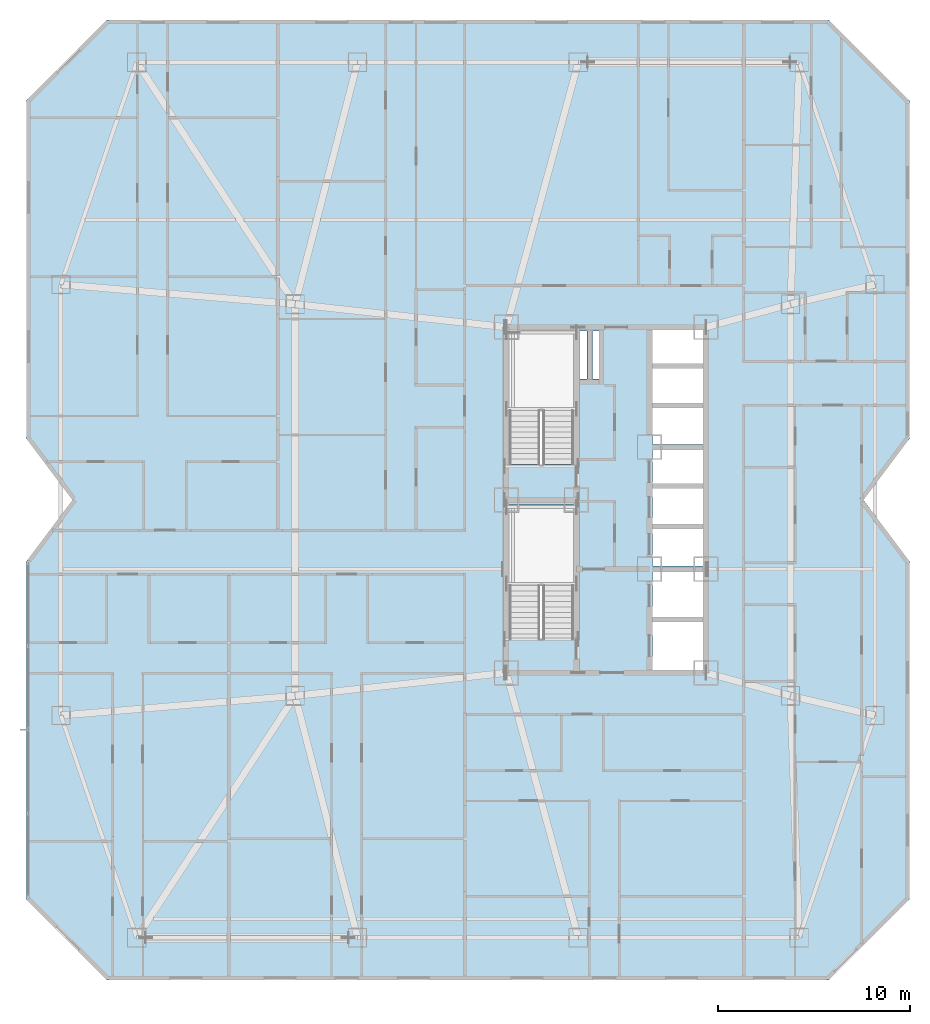
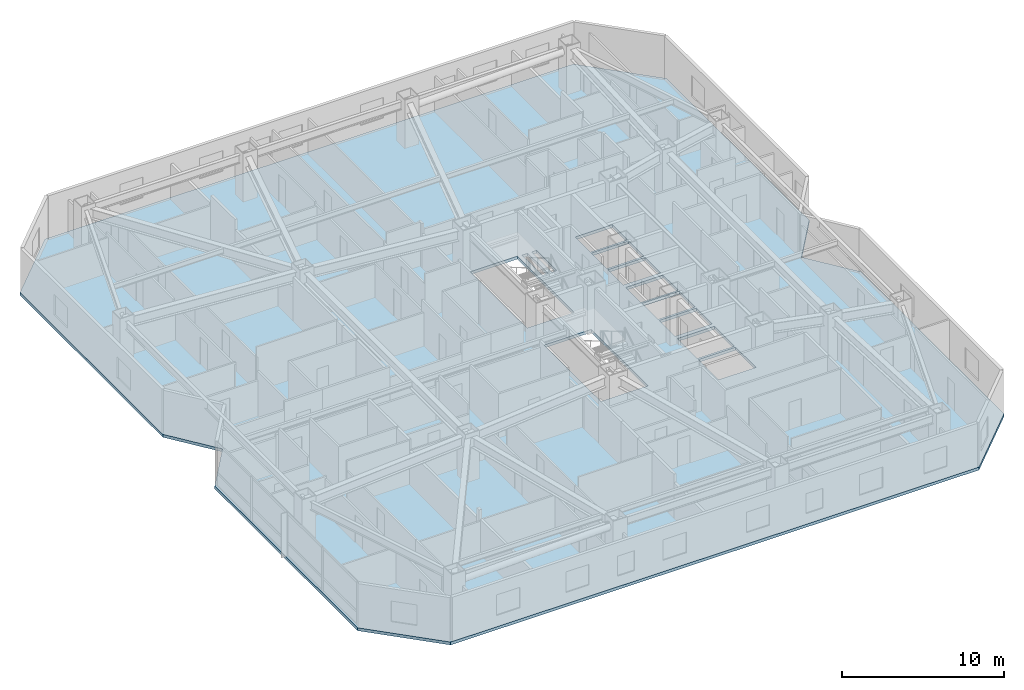
# One storey, part 8 of 18: 1 slab.
"""IFC4 building model written with IfcOpenShell, lengths in metres."""

from ifc_helpers import new_model, si_unit, direction, frame, origin, place, context, subcontext, project, spatial, polyline, outline, extrude, material, layer, layer_set, type_object, element, save


model = new_model("IFC4")

# Units and contexts
model_context = context("Model", 3, precision=1e-05, world=origin(), true_north=direction((0.0, 1.0)))
body_context = subcontext(model_context, "Body", "Model", "MODEL_VIEW")
ifc_project = project(units=[si_unit("LENGTHUNIT", "METRE"), si_unit("AREAUNIT", "SQUARE_METRE"), si_unit("VOLUMEUNIT", "CUBIC_METRE"), si_unit("PLANEANGLEUNIT", "RADIAN"), si_unit("MASSUNIT", "GRAM", prefix="KILO")], contexts=[model_context])

# Site, building, storey
site_placement = place(None, origin())
site = spatial("IfcSite", under=ifc_project, at=site_placement, CompositionType="ELEMENT")
building_placement = place(site_placement, origin())
building = spatial("IfcBuilding", under=site, at=building_placement, Name="Khamvora Tower", CompositionType="ELEMENT")
storey_placement = place(building_placement, frame((0.0, 0.0, 80.75)))
storey = spatial("IfcBuildingStorey", under=building, at=storey_placement, Name="L20", CompositionType="ELEMENT", Elevation=80.75)

# Slab
ifc_material = material(Name="Concrete C35/45", Category="concrete")
ifc_layer = layer(ifc_material, 0.219970703125)
ifc_layer_set = layer_set([ifc_layer], Name="Concrete C35/45")
slab_type = type_object("IfcSlabType", Name="SLB-TYP-220", PredefinedType="FLOOR", material=ifc_layer_set)
slab_placement = place(storey_placement, frame((0.0, 0.0, -0.219970703125)))
element("IfcSlab", 1, at=slab_placement, inside=storey, type_object=slab_type, Name="L20 structural floor slab", PredefinedType="FLOOR", context=body_context, shape_type="SweptSolid", body=[
    extrude(outline(polyline([(8.199951171875, 3.0), (45.800048828125, 3.0), (50.0, 7.199951171875), (50.0, 24.800048828125), (47.60009765625, 28.0), (50.0, 31.199951171875), (50.0, 48.800048828125), (45.800048828125, 53.0), (8.199951171875, 53.0), (4.0, 48.800048828125), (4.0, 31.199951171875), (6.39990234375, 28.0), (4.0, 24.800048828125), (4.0, 7.199951171875), (8.199951171875, 3.0)]), holes=[polyline([(32.5, 20.760009765625), (32.5, 27.75), (29.14990234375, 27.75), (29.14990234375, 20.760009765625), (32.5, 20.760009765625)]), polyline([(32.5, 29.860107421875), (32.5, 36.85009765625), (29.14990234375, 36.85009765625), (29.14990234375, 29.860107421875), (32.5, 29.860107421875)]), polyline([(36.60009765625, 19.14990234375), (39.25, 19.14990234375), (39.25, 21.64990234375), (36.60009765625, 21.64990234375), (36.60009765625, 19.14990234375)]), polyline([(36.60009765625, 21.800048828125), (39.25, 21.800048828125), (39.25, 24.25), (36.60009765625, 24.25), (36.60009765625, 21.800048828125)]), polyline([(36.60009765625, 24.550048828125), (39.25, 24.550048828125), (39.25, 26.5), (36.60009765625, 26.5), (36.60009765625, 24.550048828125)]), polyline([(36.60009765625, 26.64990234375), (39.25, 26.64990234375), (39.25, 28.60009765625), (36.60009765625, 28.60009765625), (36.60009765625, 26.64990234375)]), polyline([(36.60009765625, 28.75), (39.25, 28.75), (39.25, 30.60009765625), (36.60009765625, 30.60009765625), (36.60009765625, 28.75)]), polyline([(36.60009765625, 30.89990234375), (39.25, 30.89990234375), (39.25, 32.800048828125), (36.60009765625, 32.800048828125), (36.60009765625, 30.89990234375)]), polyline([(36.60009765625, 32.949951171875), (39.25, 32.949951171875), (39.25, 34.85009765625), (36.60009765625, 34.85009765625), (36.60009765625, 32.949951171875)]), polyline([(36.60009765625, 35.0), (39.25, 35.0), (39.25, 36.85009765625), (36.60009765625, 36.85009765625), (36.60009765625, 35.0)]), polyline([(32.800048828125, 34.300048828125), (33.199951171875, 34.300048828125), (33.199951171875, 36.800048828125), (32.800048828125, 36.800048828125), (32.800048828125, 34.300048828125)]), polyline([(33.47998046875, 34.300048828125), (33.820068359375, 34.300048828125), (33.820068359375, 36.800048828125), (33.47998046875, 36.800048828125), (33.47998046875, 34.300048828125)])]), origin(), (0.0, 0.0, 1.0), 0.219970703125),
])

save(model, "model.ifc")
